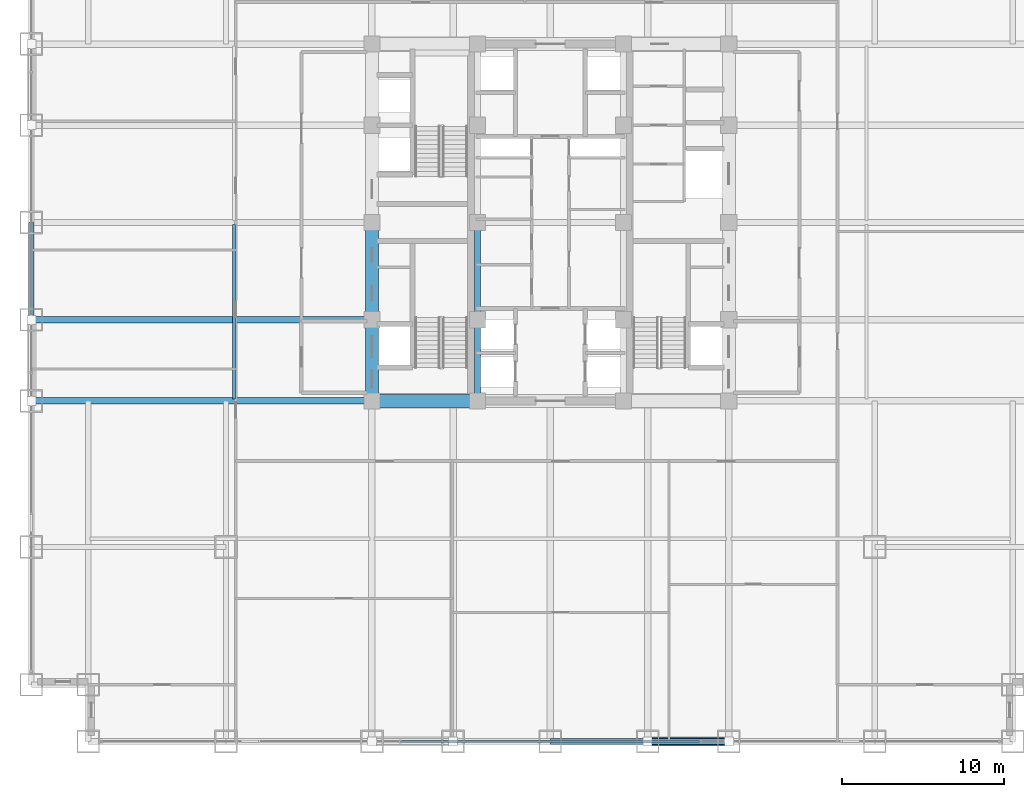
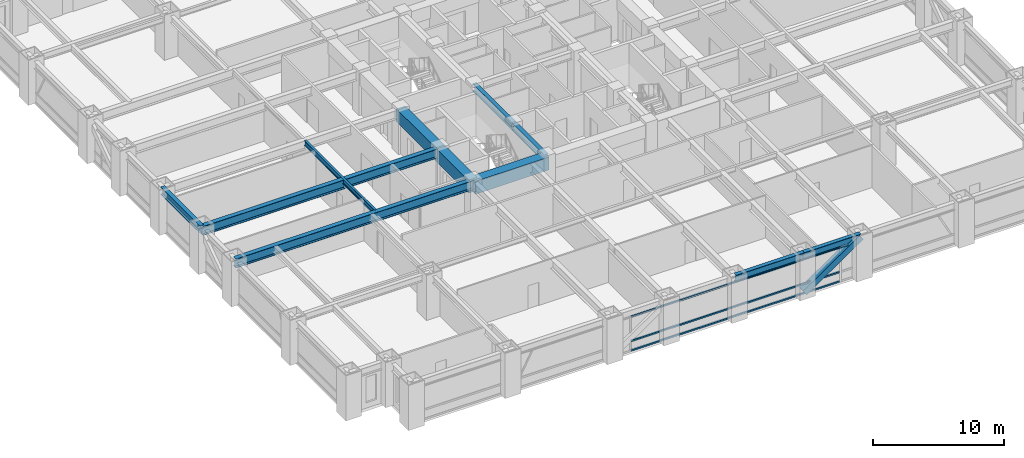
# One storey, part 7 of 28: 11 beams, 4 members, 1 element without a shape of its own.
"""IFC4 building model written with IfcOpenShell, lengths in metres."""

from ifc_helpers import new_model, si_unit, direction, frame, origin, origin_2d, place, context, subcontext, project, spatial, rectangle, hollow_rectangle, i_section, extrude, source, transform, mapped, material, material_profile, profile_set, type_object, element, aggregate, save


model = new_model("IFC4")

# Units and contexts
model_context = context("Model", 3, precision=1e-05, world=origin(), true_north=direction((0.0, 1.0)))
body_context = subcontext(model_context, "Body", "Model", "MODEL_VIEW")
ifc_project = project(units=[si_unit("LENGTHUNIT", "METRE"), si_unit("AREAUNIT", "SQUARE_METRE"), si_unit("VOLUMEUNIT", "CUBIC_METRE"), si_unit("PLANEANGLEUNIT", "RADIAN"), si_unit("MASSUNIT", "GRAM", prefix="KILO")], contexts=[model_context])

# Site, building, storey
site_placement = place(None, origin())
site = spatial("IfcSite", under=ifc_project, at=site_placement, CompositionType="ELEMENT")
building_placement = place(site_placement, origin())
building = spatial("IfcBuilding", under=site, at=building_placement, Name="Khorayat Bourse Tower", CompositionType="ELEMENT")
storey_placement = place(building_placement, frame((0.0, 0.0, 66.199951171875)))
storey = spatial("IfcBuildingStorey", under=building, at=storey_placement, Name="L14", CompositionType="ELEMENT", Elevation=66.199951171875)

# Beams
ifc_material_1 = material(Name="Concrete C72/90", Category="concrete")
ifc_material_profile_1 = material_profile(ifc_material_1, rectangle(XDim=0.800048828125, YDim=1.199951171875, at=origin_2d()), Name="RC 800x1200")
ifc_profile_set_1 = profile_set([ifc_material_profile_1], Name="Concrete C72/90")
beam_type_1 = type_object("IfcBeamType", Name="BM-COUP-1200", PredefinedType="BEAM", material=ifc_profile_set_1)
shared_shape_1 = source(origin(), body_context, "Body", "SweptSolid", [
    extrude(rectangle(XDim=0.800048828125, YDim=1.199951171875, at=origin_2d()), origin(), (0.0, 0.0, 1.0), 5.0),
])
beam_1_placement = place(storey_placement, frame((-11.0, -11.0, 3.340087890625), z_axis=(0.0, 1.0, 0.0), x_axis=(-1.0, 0.0, 0.0)))
element("IfcBeam", 1, at=beam_1_placement, inside=storey, type_object=beam_type_1, Name="L14 BM-COUP-1200 BM-L14-CRX-01", PredefinedType="BEAM", context=body_context, shape_type="MappedRepresentation", body=[
    mapped(shared_shape_1, transform((0.0, 0.0, 0.0), scale=1.0)),
])
shared_shape_2 = source(origin(), body_context, "Body", "SweptSolid", [
    extrude(rectangle(XDim=0.800048828125, YDim=1.199951171875, at=origin_2d()), origin(), (0.0, 0.0, 1.0), 6.0),
])
beam_2_placement = place(storey_placement, frame((-11.0, -6.0, 3.340087890625), z_axis=(0.0, 1.0, 0.0), x_axis=(-1.0, 0.0, 0.0)))
element("IfcBeam", 2, at=beam_2_placement, inside=storey, type_object=beam_type_1, Name="L14 BM-COUP-1200 BM-L14-CRX-02", PredefinedType="BEAM", context=body_context, shape_type="MappedRepresentation", body=[
    mapped(shared_shape_2, transform((0.0, 0.0, 0.0), scale=1.0)),
])
ifc_material_2 = material(Name="Steel ASTM A992 Grade 50", Category="steel")
ifc_material_profile_2 = material_profile(ifc_material_2, i_section(OverallWidth=0.35498046875, OverallDepth=0.695068359375, WebThickness=0.015380859375, FlangeThickness=0.02490234375, FilletRadius=0.01806640625, at=origin_2d()), Name="W690X217")
ifc_profile_set_2 = profile_set([ifc_material_profile_2], Name="Steel ASTM A992 Grade 50")
beam_type_2 = type_object("IfcBeamType", Name="BM-GIRD-690", PredefinedType="BEAM", material=ifc_profile_set_2)
shared_shape_3 = source(origin(), body_context, "Body", "SweptSolid", [
    extrude(i_section(OverallWidth=0.35498046875, OverallDepth=0.695068359375, WebThickness=0.015380859375, FlangeThickness=0.02490234375, FilletRadius=0.01806640625, at=origin_2d()), origin(), (0.0, 0.0, 1.0), 5.0),
])
beam_3_placement = place(storey_placement, frame((-4.5, -11.0, 3.592529296875), z_axis=(0.0, 1.0, 0.0), x_axis=(-1.0, 0.0, 0.0)))
element("IfcBeam", 3, at=beam_3_placement, inside=storey, type_object=beam_type_2, Name="L14 BM-GIRD-690 BM-L14-CRX-05", PredefinedType="BEAM", context=body_context, shape_type="MappedRepresentation", body=[
    mapped(shared_shape_3, transform((0.0, 0.0, 0.0), scale=1.0)),
])
shared_shape_4 = source(origin(), body_context, "Body", "SweptSolid", [
    extrude(i_section(OverallWidth=0.35498046875, OverallDepth=0.695068359375, WebThickness=0.015380859375, FlangeThickness=0.02490234375, FilletRadius=0.01806640625, at=origin_2d()), origin(), (0.0, 0.0, 1.0), 6.0),
])
beam_4_placement = place(storey_placement, frame((-4.5, -6.0, 3.592529296875), z_axis=(0.0, 1.0, 0.0), x_axis=(-1.0, 0.0, 0.0)))
element("IfcBeam", 4, at=beam_4_placement, inside=storey, type_object=beam_type_2, Name="L14 BM-GIRD-690 BM-L14-CRX-06", PredefinedType="BEAM", context=body_context, shape_type="MappedRepresentation", body=[
    mapped(shared_shape_4, transform((0.0, 0.0, 0.0), scale=1.0)),
])
shared_shape_5 = source(origin(), body_context, "Body", "SweptSolid", [
    extrude(rectangle(XDim=0.800048828125, YDim=1.199951171875, at=origin_2d()), origin(), (0.0, 0.0, 1.0), 6.5),
])
beam_5_placement = place(storey_placement, frame((-11.0, -11.0, 3.340087890625), z_axis=(1.0, 0.0, 0.0), x_axis=(0.0, 1.0, 0.0)))
element("IfcBeam", 5, at=beam_5_placement, inside=storey, type_object=beam_type_1, Name="L14 BM-COUP-1200 BM-L14-CRY-17", PredefinedType="BEAM", context=body_context, shape_type="MappedRepresentation", body=[
    mapped(shared_shape_5, transform((0.0, 0.0, 0.0), scale=1.0)),
])
ifc_material_profile_3 = material_profile(ifc_material_2, i_section(OverallWidth=0.35498046875, OverallDepth=0.695068359375, WebThickness=0.015380859375, FlangeThickness=0.02490234375, FilletRadius=0.01806640625, at=origin_2d()), Name="W690X217")
ifc_profile_set_3 = profile_set([ifc_material_profile_3], Name="Steel ASTM A992 Grade 50")
beam_type_3 = type_object("IfcBeamType", Name="BM-SPAN-690", PredefinedType="SPANDREL", material=ifc_profile_set_3)
shared_shape_6 = source(origin(), body_context, "Body", "SweptSolid", [
    extrude(i_section(OverallWidth=0.35498046875, OverallDepth=0.695068359375, WebThickness=0.015380859375, FlangeThickness=0.02490234375, FilletRadius=0.01806640625, at=origin_2d()), origin(), (0.0, 0.0, 1.0), 5.0),
])
beam_6_placement = place(storey_placement, frame((6.0, -32.0, 3.592529296875), z_axis=(1.0, 0.0, 0.0), x_axis=(0.0, 1.0, 0.0)))
element("IfcBeam", 6, at=beam_6_placement, inside=storey, type_object=beam_type_3, Name="L14 BM-SPAN-690 BM-L14-SPN-029", PredefinedType="SPANDREL", context=body_context, shape_type="MappedRepresentation", body=[
    mapped(shared_shape_6, transform((0.0, 0.0, 0.0), scale=1.0)),
])
shared_shape_7 = source(origin(), body_context, "Body", "SweptSolid", [
    extrude(i_section(OverallWidth=0.35498046875, OverallDepth=0.695068359375, WebThickness=0.015380859375, FlangeThickness=0.02490234375, FilletRadius=0.01806640625, at=origin_2d()), origin(), (0.0, 0.0, 1.0), 6.0),
])
for number, where, z_axis, x_axis, name in (
    (7, (0.0, -32.0, 3.592529296875), (1.0, 0.0, 0.0), (0.0, 1.0, 0.0), "L14 BM-SPAN-690 BM-L14-SPN-028"),
    (8, (-32.0, -6.0, 3.592529296875), (0.0, 1.0, 0.0), (-1.0, 0.0, 0.0), "L14 BM-SPAN-690 BM-L14-SPN-058"),
):
    element("IfcBeam", number, at=place(storey_placement, frame(where, z_axis=z_axis, x_axis=x_axis)), inside=storey, type_object=beam_type_3, Name=name, PredefinedType="SPANDREL", context=body_context, shape_type="MappedRepresentation", body=[
        mapped(shared_shape_7, transform((0.0, 0.0, 0.0), scale=1.0)),
    ])
ifc_material_profile_4 = material_profile(ifc_material_2, i_section(OverallWidth=0.39990234375, OverallDepth=0.85498046875, WebThickness=0.018310546875, FlangeThickness=0.029296875, FilletRadius=0.02001953125, at=origin_2d()), Name="W840X299")
ifc_profile_set_4 = profile_set([ifc_material_profile_4], Name="Steel ASTM A992 Grade 50")
beam_type_4 = type_object("IfcBeamType", Name="BM-GIRD-840", PredefinedType="BEAM", material=ifc_profile_set_4)
shared_shape_8 = source(origin(), body_context, "Body", "SweptSolid", [
    extrude(i_section(OverallWidth=0.39990234375, OverallDepth=0.85498046875, WebThickness=0.018310546875, FlangeThickness=0.029296875, FilletRadius=0.02001953125, at=origin_2d()), origin(), (0.0, 0.0, 1.0), 21.0),
])
for number, where, z_axis, x_axis, name in (
    (9, (-32.0, -11.0, 3.512451171875), (1.0, 0.0, 0.0), (0.0, 1.0, 0.0), "L14 BM-GIRD-840 BM-L14-RADX-075"),
    (10, (-32.0, -6.0, 3.512451171875), (1.0, 0.0, 0.0), (0.0, 1.0, 0.0), "L14 BM-GIRD-840 BM-L14-RADX-077"),
):
    element("IfcBeam", number, at=place(storey_placement, frame(where, z_axis=z_axis, x_axis=x_axis)), inside=storey, type_object=beam_type_4, Name=name, PredefinedType="BEAM", context=body_context, shape_type="MappedRepresentation", body=[
        mapped(shared_shape_8, transform((0.0, 0.0, 0.0), scale=1.0)),
    ])
ifc_material_profile_5 = material_profile(ifc_material_2, i_section(OverallWidth=0.194091796875, OverallDepth=0.468994140625, WebThickness=0.0126953125, FlangeThickness=0.0205078125, FilletRadius=0.012939453125, at=origin_2d()), Name="W460X106")
ifc_profile_set_5 = profile_set([ifc_material_profile_5], Name="Steel ASTM A992 Grade 50")
beam_type_5 = type_object("IfcBeamType", Name="BM-JOIST-460", PredefinedType="JOIST", material=ifc_profile_set_5)
shared_shape_9 = source(origin(), body_context, "Body", "SweptSolid", [
    extrude(i_section(OverallWidth=0.194091796875, OverallDepth=0.468994140625, WebThickness=0.0126953125, FlangeThickness=0.0205078125, FilletRadius=0.012939453125, at=origin_2d()), origin(), (0.0, 0.0, 1.0), 10.740234375),
])
beam_7_placement = place(storey_placement, frame((-19.5, -10.8701171875, 3.70556640625), z_axis=(0.0, 1.0, 0.0), x_axis=(-1.0, 0.0, 0.0)))
element("IfcBeam", 11, at=beam_7_placement, inside=storey, type_object=beam_type_5, Name="L14 BM-JOIST-460 BM-L14-JSTY-102", PredefinedType="JOIST", context=body_context, shape_type="MappedRepresentation", body=[
    mapped(shared_shape_9, transform((0.0, 0.0, 0.0), scale=1.0)),
])

# Member
ifc_material_3 = material(Name="Steel EN 10025-4 S460M", Category="steel")
ifc_material_profile_6 = material_profile(ifc_material_3, hollow_rectangle(XDim=0.550048828125, YDim=0.550048828125, WallThickness=0.031982421875, at=origin_2d()), Name="HSS 550x550x32")
ifc_profile_set_6 = profile_set([ifc_material_profile_6], Name="Steel EN 10025-4 S460M")
member_type_1 = type_object("IfcMemberType", Name="MBR-TUBE-550", PredefinedType="BRACE", material=ifc_profile_set_6)
shared_shape_10 = source(origin(), body_context, "Body", "SweptSolid", [
    extrude(hollow_rectangle(XDim=0.550048828125, YDim=0.550048828125, WallThickness=0.031982421875, at=origin_2d()), origin(), (0.0, 0.0, 1.0), 6.069091796875),
])
member_1_placement = place(storey_placement, frame((6.0, -32.0, 0.25), z_axis=(0.823854080622, 0.0, 0.566801952928), x_axis=(0.0, 1.0, 0.0)))
element("IfcMember", 12, at=member_1_placement, inside=storey, type_object=member_type_1, Name="L14 Perimeter Tube Brace 02", PredefinedType="BRACE", context=body_context, shape_type="MappedRepresentation", body=[
    mapped(shared_shape_10, transform((0.0, 0.0, 0.0), scale=1.0)),
])

# Curtain wall, members
ifc_material_4 = material(Name="Aluminium EN AW-6063 T6", Category="aluminium")
curtain_wall_type = type_object("IfcCurtainWallType", Name="CW-SYS-02", PredefinedType="NOTDEFINED", material=ifc_material_4)
curtain_wall_placement = place(storey_placement, origin())
curtain_wall = element("IfcCurtainWall", 13, at=curtain_wall_placement, inside=storey, type_object=curtain_wall_type, Name="L14 Curtain Wall CW-L14-S1", PredefinedType="NOTDEFINED")
ifc_material_profile_7 = material_profile(ifc_material_4, hollow_rectangle(XDim=0.139892578125, YDim=0.139892578125, WallThickness=0.006103515625, at=origin_2d()), Name="ALU 140x140x6")
ifc_profile_set_7 = profile_set([ifc_material_profile_7], Name="Aluminium EN AW-6063 T6")
member_type_2 = type_object("IfcMemberType", Name="CWT-HORZ-140", PredefinedType="USERDEFINED", material=ifc_profile_set_7)
shared_shape_11 = source(origin(), body_context, "Body", "SweptSolid", [
    extrude(hollow_rectangle(XDim=0.139892578125, YDim=0.139892578125, WallThickness=0.006103515625, at=origin_2d()), origin(), (0.0, 0.0, 1.0), 18.35986328125),
])
member_2_placement = place(storey_placement, frame((-9.179931640625, -32.0, 0.070068359375), z_axis=(1.0, 0.0, 0.0), x_axis=(0.0, 1.0, 0.0)))
member_2 = element("IfcMember", 14, at=member_2_placement, type_object=member_type_2, Name="CW-L14-S1 Horizontal Transom 2-1", ObjectType="TRANSOM", PredefinedType="USERDEFINED", context=body_context, shape_type="MappedRepresentation", body=[
    mapped(shared_shape_11, transform((0.0, 0.0, 0.0), scale=1.0)),
])
member_3_placement = place(storey_placement, frame((-9.179931640625, -32.0, 0.949951171875), z_axis=(1.0, 0.0, 0.0), x_axis=(0.0, 1.0, 0.0)))
member_3 = element("IfcMember", 15, at=member_3_placement, type_object=member_type_2, Name="CW-L14-S1 Horizontal Transom 2-2", ObjectType="TRANSOM", PredefinedType="USERDEFINED", context=body_context, shape_type="MappedRepresentation", body=[
    mapped(shared_shape_11, transform((0.0, 0.0, 0.0), scale=1.0)),
])
member_4_placement = place(storey_placement, frame((-9.179931640625, -32.0, 3.219970703125), z_axis=(1.0, 0.0, 0.0), x_axis=(0.0, 1.0, 0.0)))
member_4 = element("IfcMember", 16, at=member_4_placement, type_object=member_type_2, Name="CW-L14-S1 Horizontal Transom 2-3", ObjectType="TRANSOM", PredefinedType="USERDEFINED", context=body_context, shape_type="MappedRepresentation", body=[
    mapped(shared_shape_11, transform((0.0, 0.0, 0.0), scale=1.0)),
])
aggregate(curtain_wall, [member_2, member_3, member_4])

save(model, "model.ifc")
